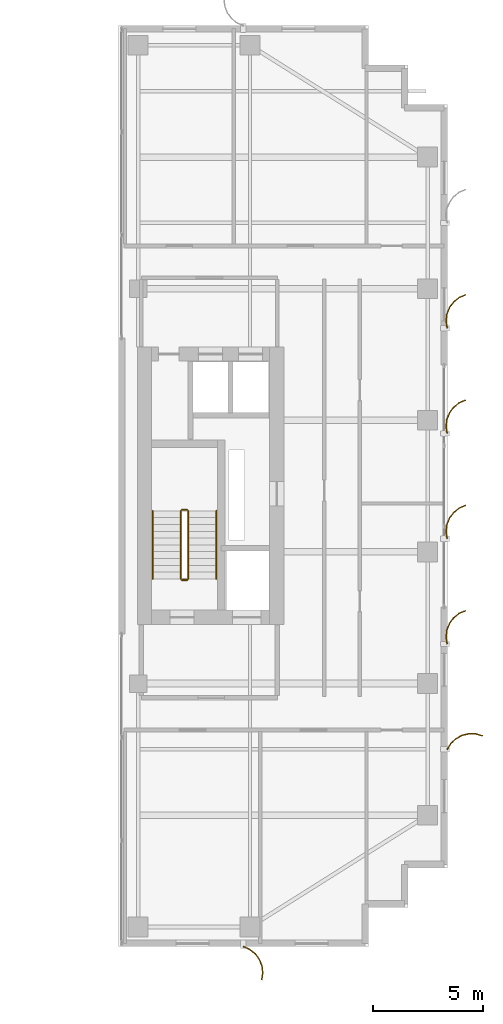
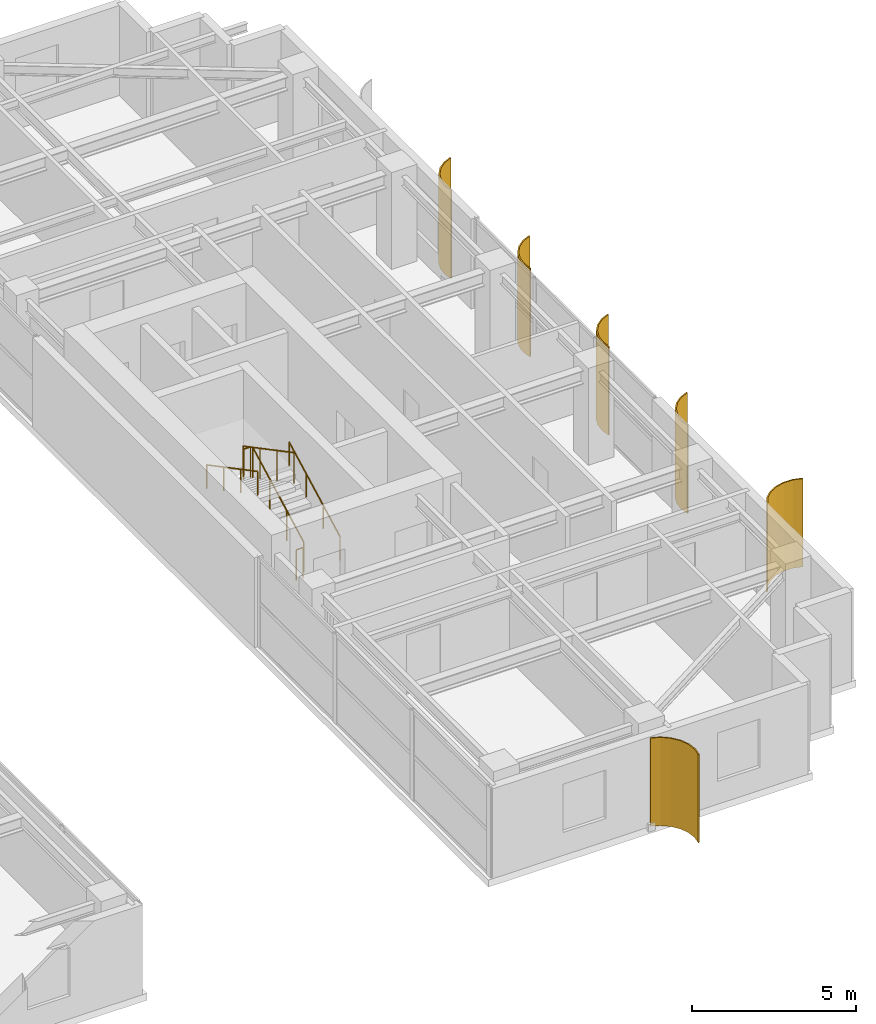
# One storey, part 21 of 22: 6 railings, 6 shading devices.
"""IFC4 building model written with IfcOpenShell, lengths in metres."""

from ifc_helpers import new_model, si_unit, direction, frame, origin, origin_2d, place, context, subcontext, project, spatial, polyline, circle, outline, extrude, source, transform, mapped, material, layer, layer_set, type_object, element, save


model = new_model("IFC4")

# Units and contexts
model_context = context("Model", 3, precision=1e-05, world=origin(), true_north=direction((0.0, 1.0)))
body_context = subcontext(model_context, "Body", "Model", "MODEL_VIEW")
ifc_project = project(units=[si_unit("LENGTHUNIT", "METRE"), si_unit("AREAUNIT", "SQUARE_METRE"), si_unit("VOLUMEUNIT", "CUBIC_METRE"), si_unit("PLANEANGLEUNIT", "RADIAN"), si_unit("MASSUNIT", "GRAM", prefix="KILO")], contexts=[model_context])

# Site, building, storey
site_placement = place(None, origin())
site = spatial("IfcSite", under=ifc_project, at=site_placement, CompositionType="ELEMENT")
building_placement = place(site_placement, origin())
building = spatial("IfcBuilding", under=site, at=building_placement, Name="Khoralis Quay Care Tower", CompositionType="ELEMENT")
storey_placement = place(building_placement, frame((0.0, 0.0, 202.5)))
storey = spatial("IfcBuildingStorey", under=building, at=storey_placement, Name="L53", CompositionType="ELEMENT", Elevation=202.5)

# Railings
ifc_material_1 = material(Name="Brushed stainless steel", Category="steel")
railing_type_1 = type_object("IfcRailingType", Name="RL-GUARD-1150", PredefinedType="GUARDRAIL", material=ifc_material_1)
railing_1_placement = place(storey_placement, frame((33.18994140625, 16.77001953125, 0.16357421875)))
element("IfcRailing", 1, at=railing_1_placement, inside=storey, type_object=railing_type_1, Name="L53 ST-T2 stair guard 1", PredefinedType="GUARDRAIL", context=body_context, shape_type="SweptSolid", body=[
    extrude(circle(Radius=0.02392578125, at=origin_2d()), frame((0.0, 0.0, 1.1259765625), z_axis=(0.0, 0.884348015382, 0.466828220752), x_axis=(-1.0, 0.0, 0.0)), (0.0, 0.0, 1.0), 3.505615234375),
    extrude(circle(Radius=0.02099609375, at=origin_2d()), origin(), (0.0, 0.0, 1.0), 1.101806640625),
    extrude(circle(Radius=0.02099609375, at=origin_2d()), frame((0.0, 1.033447265625, 0.54541015625)), (0.0, 0.0, 1.0), 1.101806640625),
    extrude(circle(Radius=0.02099609375, at=origin_2d()), frame((0.0, 2.066650390625, 1.091064453125)), (0.0, 0.0, 1.0), 1.101806640625),
    extrude(circle(Radius=0.02099609375, at=origin_2d()), frame((0.0, 3.10009765625, 1.636474609375)), (0.0, 0.0, 1.0), 1.101806640625),
])
railing_2_placement = place(storey_placement, frame((33.139892578125, 19.919921875, 1.800048828125)))
element("IfcRailing", 2, at=railing_2_placement, inside=storey, type_object=railing_type_1, Name="L53 ST-T2 stair guard 2", PredefinedType="GUARDRAIL", context=body_context, shape_type="SweptSolid", body=[
    extrude(circle(Radius=0.02392578125, at=origin_2d()), frame((0.0, 0.0, 1.1259765625), z_axis=(-1.0, 0.0, 0.0), x_axis=(0.0, -1.0, 0.0)), (0.0, 0.0, 1.0), 0.239990234375),
    extrude(circle(Radius=0.02099609375, at=origin_2d()), origin(), (0.0, 0.0, 1.0), 1.101806640625),
    extrude(circle(Radius=0.02099609375, at=origin_2d()), frame((-0.239990234375, 0.0, 0.0)), (0.0, 0.0, 1.0), 1.101806640625),
])
railing_3_placement = place(storey_placement, frame((32.85009765625, 19.8701171875, 1.963623046875)))
element("IfcRailing", 3, at=railing_3_placement, inside=storey, type_object=railing_type_1, Name="L53 ST-T2 stair guard 3", PredefinedType="GUARDRAIL", context=body_context, shape_type="SweptSolid", body=[
    extrude(circle(Radius=0.02392578125, at=origin_2d()), frame((0.0, 0.0, 1.1259765625), z_axis=(0.0, -0.884348015382, 0.466828220752), x_axis=(1.0, 0.0, 0.0)), (0.0, 0.0, 1.0), 3.505615234375),
    extrude(circle(Radius=0.02099609375, at=origin_2d()), origin(), (0.0, 0.0, 1.0), 1.101806640625),
    extrude(circle(Radius=0.02099609375, at=origin_2d()), frame((0.0, -1.033447265625, 0.54541015625)), (0.0, 0.0, 1.0), 1.101806640625),
    extrude(circle(Radius=0.02099609375, at=origin_2d()), frame((0.0, -2.066650390625, 1.091064453125)), (0.0, 0.0, 1.0), 1.101806640625),
    extrude(circle(Radius=0.02099609375, at=origin_2d()), frame((0.0, -3.10009765625, 1.636474609375)), (0.0, 0.0, 1.0), 1.101806640625),
])
railing_4_placement = place(storey_placement, frame((33.139892578125, 16.719970703125, 0.0)))
element("IfcRailing", 4, at=railing_4_placement, inside=storey, type_object=railing_type_1, Name="L53 ST-T2 stair guard 4", PredefinedType="GUARDRAIL", context=body_context, shape_type="SweptSolid", body=[
    extrude(circle(Radius=0.02392578125, at=origin_2d()), frame((0.0, 0.0, 1.1259765625), z_axis=(-1.0, 0.0, 0.0), x_axis=(0.0, -1.0, 0.0)), (0.0, 0.0, 1.0), 0.239990234375),
    extrude(circle(Radius=0.02099609375, at=origin_2d()), origin(), (0.0, 0.0, 1.0), 1.101806640625),
    extrude(circle(Radius=0.02099609375, at=origin_2d()), frame((-0.239990234375, 0.0, 0.0)), (0.0, 0.0, 1.0), 1.101806640625),
])
railing_type_2 = type_object("IfcRailingType", Name="RL-HAND-900", PredefinedType="HANDRAIL", material=ifc_material_1)
railing_5_placement = place(storey_placement, frame((34.469970703125, 16.77001953125, 0.16357421875)))
element("IfcRailing", 5, at=railing_5_placement, inside=storey, type_object=railing_type_2, Name="L53 ST-T2 stair handrail 1", PredefinedType="HANDRAIL", context=body_context, shape_type="SweptSolid", body=[
    extrude(circle(Radius=0.02392578125, at=origin_2d()), frame((0.0, 0.0, 0.8759765625), z_axis=(0.0, 0.884348015382, 0.466828220752), x_axis=(-1.0, 0.0, 0.0)), (0.0, 0.0, 1.0), 3.505615234375),
    extrude(circle(Radius=0.02099609375, at=origin_2d()), origin(), (0.0, 0.0, 1.0), 0.851806640625),
    extrude(circle(Radius=0.02099609375, at=origin_2d()), frame((0.0, 1.033447265625, 0.54541015625)), (0.0, 0.0, 1.0), 0.851806640625),
    extrude(circle(Radius=0.02099609375, at=origin_2d()), frame((0.0, 2.066650390625, 1.091064453125)), (0.0, 0.0, 1.0), 0.851806640625),
    extrude(circle(Radius=0.02099609375, at=origin_2d()), frame((0.0, 3.10009765625, 1.636474609375)), (0.0, 0.0, 1.0), 0.851806640625),
])
railing_6_placement = place(storey_placement, frame((31.570068359375, 19.8701171875, 1.963623046875)))
element("IfcRailing", 6, at=railing_6_placement, inside=storey, type_object=railing_type_2, Name="L53 ST-T2 stair handrail 2", PredefinedType="HANDRAIL", context=body_context, shape_type="SweptSolid", body=[
    extrude(circle(Radius=0.02392578125, at=origin_2d()), frame((0.0, 0.0, 0.8759765625), z_axis=(0.0, -0.884348015382, 0.466828220752), x_axis=(1.0, 0.0, 0.0)), (0.0, 0.0, 1.0), 3.505615234375),
    extrude(circle(Radius=0.02099609375, at=origin_2d()), origin(), (0.0, 0.0, 1.0), 0.851806640625),
    extrude(circle(Radius=0.02099609375, at=origin_2d()), frame((0.0, -1.033447265625, 0.54541015625)), (0.0, 0.0, 1.0), 0.851806640625),
    extrude(circle(Radius=0.02099609375, at=origin_2d()), frame((0.0, -2.066650390625, 1.091064453125)), (0.0, 0.0, 1.0), 0.851806640625),
    extrude(circle(Radius=0.02099609375, at=origin_2d()), frame((0.0, -3.10009765625, 1.636474609375)), (0.0, 0.0, 1.0), 0.851806640625),
])

# Shading devices
ifc_material_2 = material(Name="Brushed pale anodised aluminium", Category="aluminium")
ifc_layer = layer(ifc_material_2, 0.044921875)
ifc_layer_set = layer_set([ifc_layer], Name="Brushed pale anodised aluminium")
shading_device_type = type_object("IfcShadingDeviceType", Name="SHD-FIN-1250", PredefinedType="USERDEFINED", material=ifc_layer_set)
shared_shape_1 = source(origin(), body_context, "Body", "SweptSolid", [
    extrude(outline(polyline([(0.0, 0.0), (0.17041015625, 0.2783203125), (0.4072265625, 0.5029296875), (0.694091796875, 0.658447265625), (1.01123046875, 0.734619140625), (1.33740234375, 0.72607421875), (1.650390625, 0.633544921875), (1.632080078125, 0.59228515625), (1.330322265625, 0.681640625), (1.015869140625, 0.68994140625), (0.710205078125, 0.616455078125), (0.43359375, 0.466552734375), (0.20556640625, 0.25), (0.041015625, -0.018310546875), (0.0, 0.0)])), origin(), (0.0, 0.0, 1.0), 3.280029296875),
])
shading_device_1_placement = place(storey_placement, frame((44.969970703125, 9.0, 0.02001953125), z_axis=(0.0, 0.0, 1.0), x_axis=(1.0, 0.0, 0.0)))
element("IfcShadingDevice", 7, at=shading_device_1_placement, inside=storey, type_object=shading_device_type, Name="L53 Curved Solar Fin P2E5-01", ObjectType="FIN", PredefinedType="USERDEFINED", context=body_context, shape_type="MappedRepresentation", body=[
    mapped(shared_shape_1, transform((0.0, 0.0, 0.0), scale=1.0)),
])
shared_shape_2 = source(origin(), body_context, "Body", "SweptSolid", [
    extrude(outline(polyline([(0.0, 0.0), (-0.04833984375, 0.32275390625), (-0.01123046875, 0.64697265625), (0.1083984375, 0.950439453125), (0.302490234375, 1.212890625), (0.557861328125, 1.416015625), (0.85693359375, 1.546142578125), (0.869384765625, 1.5029296875), (0.5810546875, 1.37744140625), (0.334716796875, 1.181640625), (0.147705078125, 0.9287109375), (0.032470703125, 0.635986328125), (-0.003173828125, 0.323486328125), (0.043212890625, 0.012451171875), (0.0, 0.0)])), origin(), (0.0, 0.0, 1.0), 3.280029296875),
])
for number, where, z_axis, x_axis, name in (
    (8, (44.969970703125, 13.800048828125, 0.02001953125), (0.0, 0.0, 1.0), (1.0, 0.0, 0.0), "L53 Curved Solar Fin P2E5-02"),
    (9, (44.969970703125, 18.60009765625, 0.02001953125), (0.0, 0.0, 1.0), (1.0, 0.0, 0.0), "L53 Curved Solar Fin P2E5-03"),
    (10, (44.969970703125, 23.39990234375, 0.02001953125), (0.0, 0.0, 1.0), (1.0, 0.0, 0.0), "L53 Curved Solar Fin P2E5-04"),
    (11, (44.969970703125, 28.199951171875, 0.02001953125), (0.0, 0.0, 1.0), (1.0, 0.0, 0.0), "L53 Curved Solar Fin P2E5-05"),
):
    element("IfcShadingDevice", number, at=place(storey_placement, frame(where, z_axis=z_axis, x_axis=x_axis)), inside=storey, type_object=shading_device_type, Name=name, ObjectType="FIN", PredefinedType="USERDEFINED", context=body_context, shape_type="MappedRepresentation", body=[
        mapped(shared_shape_2, transform((0.0, 0.0, 0.0), scale=1.0)),
    ])
shared_shape_3 = source(origin(), body_context, "Body", "SweptSolid", [
    extrude(outline(polyline([(0.0, 0.0), (0.130126953125, 0.29931640625), (0.333251953125, 0.5546875), (0.595458984375, 0.748779296875), (0.899169921875, 0.868408203125), (1.223388671875, 0.9052734375), (1.546142578125, 0.85693359375), (1.53369140625, 0.813720703125), (1.22265625, 0.8603515625), (0.91015625, 0.82470703125), (0.617431640625, 0.70947265625), (0.364501953125, 0.522216796875), (0.168701171875, 0.276123046875), (0.043212890625, -0.012451171875), (0.0, 0.0)])), origin(), (0.0, 0.0, 1.0), 3.280029296875),
])
shading_device_2_placement = place(storey_placement, frame((35.699951171875, 0.030029296875, 0.02001953125), z_axis=(0.0, 0.0, 1.0), x_axis=(0.0, -1.0, 0.0)))
element("IfcShadingDevice", 12, at=shading_device_2_placement, inside=storey, type_object=shading_device_type, Name="L53 Curved Solar Fin P2E0-01", ObjectType="FIN", PredefinedType="USERDEFINED", context=body_context, shape_type="MappedRepresentation", body=[
    mapped(shared_shape_3, transform((0.0, 0.0, 0.0), scale=1.0)),
])

save(model, "model.ifc")
